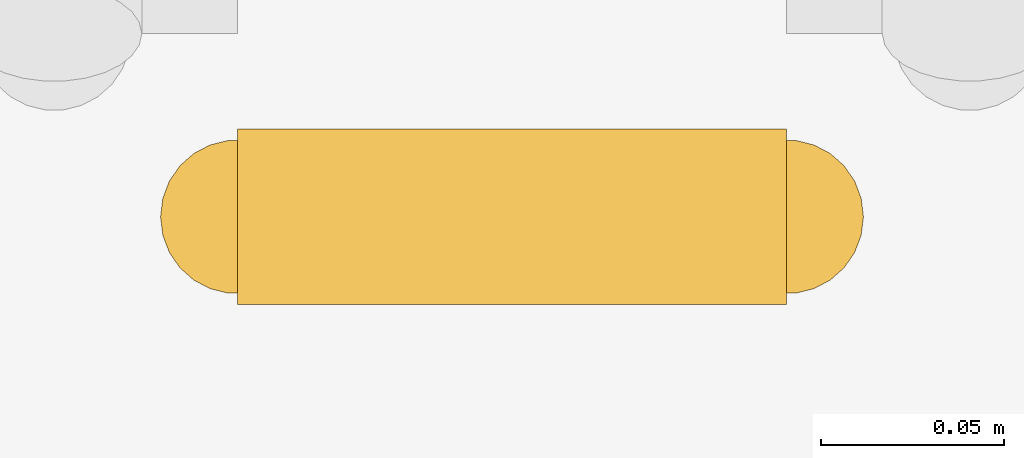
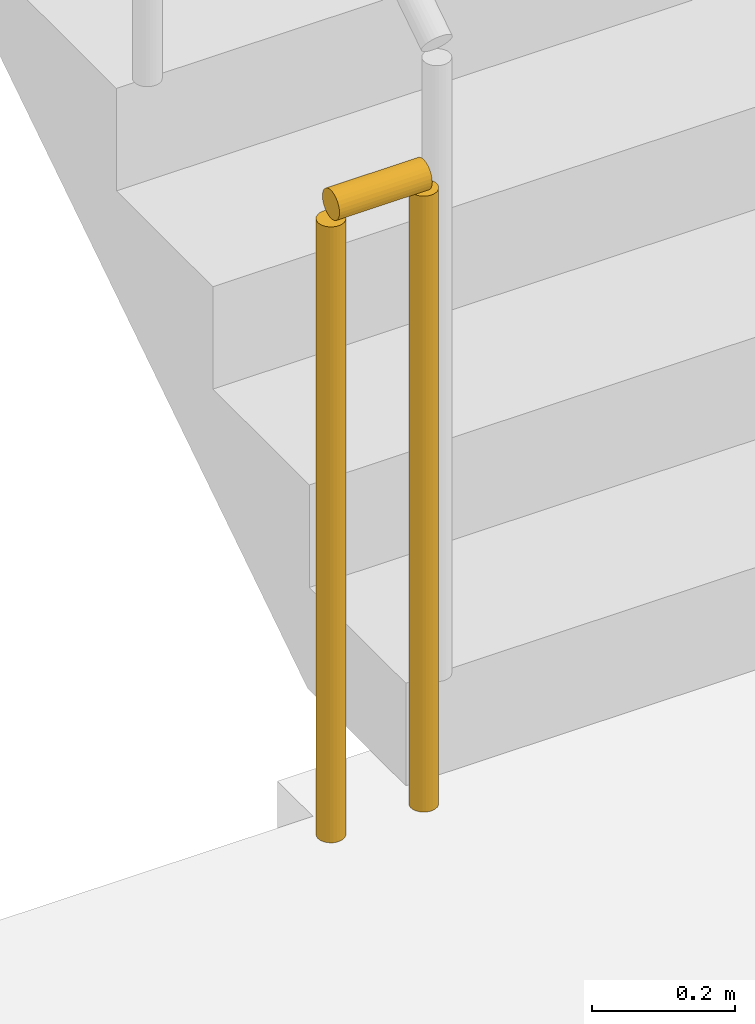
# One storey, part 17 of 20: 1 railing.
"""IFC4 building model written with IfcOpenShell, lengths in metres."""

from ifc_helpers import new_model, si_unit, direction, frame, origin, origin_2d, place, context, subcontext, project, spatial, circle, extrude, material, type_object, element, save


model = new_model("IFC4")

# Units and contexts
model_context = context("Model", 3, precision=1e-05, world=origin(), true_north=direction((0.0, 1.0)))
body_context = subcontext(model_context, "Body", "Model", "MODEL_VIEW")
ifc_project = project(units=[si_unit("LENGTHUNIT", "METRE"), si_unit("AREAUNIT", "SQUARE_METRE"), si_unit("VOLUMEUNIT", "CUBIC_METRE"), si_unit("PLANEANGLEUNIT", "RADIAN"), si_unit("MASSUNIT", "GRAM", prefix="KILO")], contexts=[model_context])

# Site, building, storey
site_placement = place(None, origin())
site = spatial("IfcSite", under=ifc_project, at=site_placement, CompositionType="ELEMENT")
building_placement = place(site_placement, origin())
building = spatial("IfcBuilding", under=site, at=building_placement, Name="Saffron Iwan Residences", CompositionType="ELEMENT")
storey_placement = place(building_placement, frame((0.0, 0.0, 153.5)))
storey = spatial("IfcBuildingStorey", under=building, at=storey_placement, Name="L40", CompositionType="ELEMENT", Elevation=153.5)

# Railing
ifc_material = material(Name="Steel S355", Category="steel")
railing_type = type_object("IfcRailingType", Name="Stair guard 1100", PredefinedType="GUARDRAIL", material=ifc_material)
railing_placement = place(storey_placement, frame((69.699951171875, 67.800048828125, 0.0)))
element("IfcRailing", 1, at=railing_placement, inside=storey, type_object=railing_type, Name="L40 ST-E stair guard 2", PredefinedType="GUARDRAIL", context=body_context, shape_type="SweptSolid", body=[
    extrude(circle(Radius=0.02392578125, at=origin_2d()), frame((0.0, 0.0, 1.076171875), z_axis=(-1.0, 0.0, 0.0), x_axis=(0.0, -1.0, 0.0)), (0.0, 0.0, 1.0), 0.14990234375),
    extrude(circle(Radius=0.02099609375, at=origin_2d()), origin(), (0.0, 0.0, 1.0), 1.052001953125),
    extrude(circle(Radius=0.02099609375, at=origin_2d()), frame((-0.14990234375, 0.0, 0.0)), (0.0, 0.0, 1.0), 1.052001953125),
])

save(model, "model.ifc")
